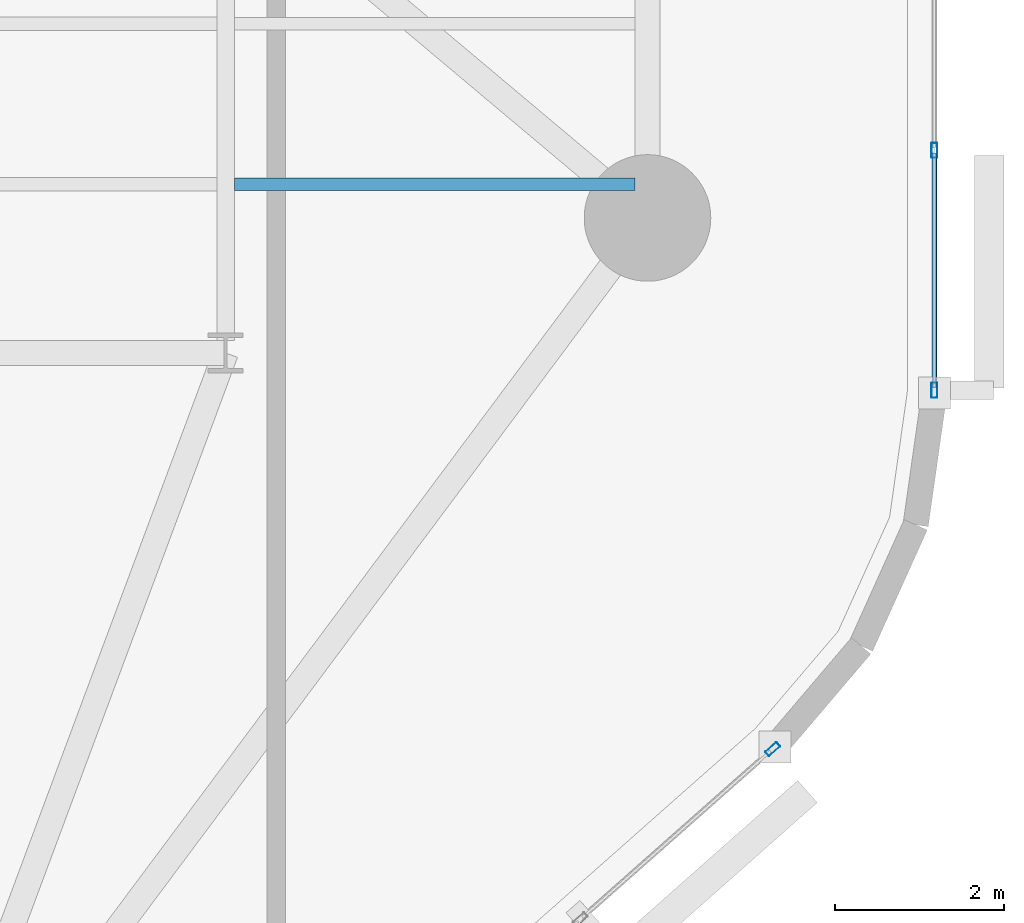
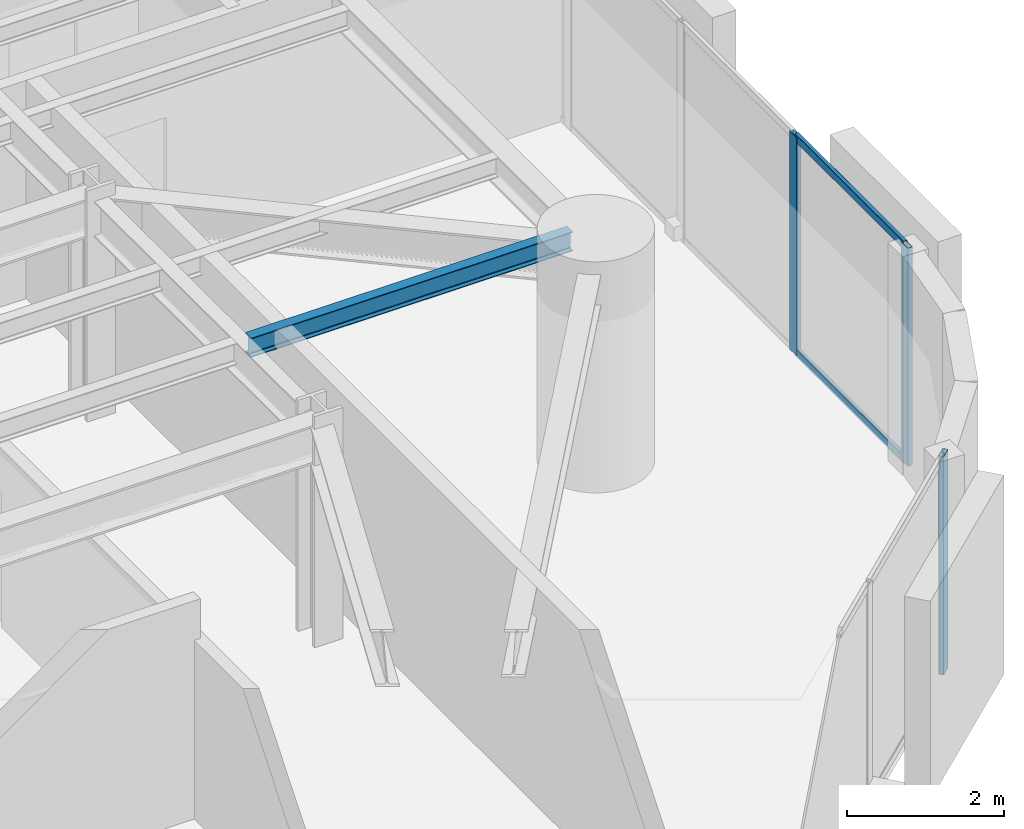
# One storey, part 4 of 16: 5 members, 1 beam, 2 elements without a shape of their own.
"""IFC4 building model written with IfcOpenShell, lengths in metres."""

from ifc_helpers import new_model, si_unit, direction, frame, origin, origin_2d, place, context, subcontext, project, spatial, hollow_rectangle, i_section, extrude, material, layer, layer_set, material_profile, profile_set, type_object, element, aggregate, save


model = new_model("IFC4")

# Units and contexts
model_context = context("Model", 3, precision=1e-05, world=origin(), true_north=direction((0.0, 1.0)))
body_context = subcontext(model_context, "Body", "Model", "MODEL_VIEW")
ifc_project = project(units=[si_unit("LENGTHUNIT", "METRE"), si_unit("AREAUNIT", "SQUARE_METRE"), si_unit("VOLUMEUNIT", "CUBIC_METRE"), si_unit("PLANEANGLEUNIT", "RADIAN"), si_unit("MASSUNIT", "GRAM", prefix="KILO")], contexts=[model_context])

# Site, building, storey
site_placement = place(None, origin())
site = spatial("IfcSite", under=ifc_project, at=site_placement, CompositionType="ELEMENT")
building_placement = place(site_placement, origin())
building = spatial("IfcBuilding", under=site, at=building_placement, Name="An Khanh Terracotta Commons", CompositionType="ELEMENT")
storey_placement = place(building_placement, frame((0.0, 0.0, 28.800048828125)))
storey = spatial("IfcBuildingStorey", under=building, at=storey_placement, Name="L07", CompositionType="ELEMENT", Elevation=28.800048828125)

# Beam
ifc_material_1 = material(Name="Steel S355J2", Category="steel")
ifc_material_profile_1 = material_profile(ifc_material_1, i_section(OverallWidth=0.14990234375, OverallDepth=0.300048828125, WebThickness=0.007080078125, FlangeThickness=0.0107421875, FilletRadius=0.014892578125, at=origin_2d()), Name="IPE300")
ifc_profile_set_1 = profile_set([ifc_material_profile_1], Name="Steel S355J2")
beam_type = type_object("IfcBeamType", Name="BM-IPE300", PredefinedType="JOIST", material=ifc_profile_set_1)
beam_placement = place(storey_placement, frame((43.304931640625, 16.39990234375, 3.25), z_axis=(1.0, 0.0, 0.0), x_axis=(0.0, 1.0, 0.0)))
element("IfcBeam", 1, at=beam_placement, inside=storey, type_object=beam_type, Name="L07 Riverfront Composite Joist 1", PredefinedType="JOIST", context=body_context, shape_type="SweptSolid", body=[
    extrude(i_section(OverallWidth=0.14990234375, OverallDepth=0.300048828125, WebThickness=0.007080078125, FlangeThickness=0.0107421875, FilletRadius=0.014892578125, at=origin_2d()), origin(), (0.0, 0.0, 1.0), 4.7451171875),
])

# Curtain wall, member
ifc_material_2 = material(Name="Anodised Aluminium 6063-T6", Category="aluminium")
ifc_layer = layer(ifc_material_2, 0.199951171875, Name="Anodised Aluminium 6063-T6")
ifc_layer_set = layer_set([ifc_layer], Name="Anodised Aluminium 6063-T6")
curtain_wall_type = type_object("IfcCurtainWallType", Name="CW-SYS-02", PredefinedType="USERDEFINED", material=ifc_layer_set)
curtain_wall_1_placement = place(storey_placement, origin())
curtain_wall_1 = element("IfcCurtainWall", 2, at=curtain_wall_1_placement, inside=storey, type_object=curtain_wall_type, Name="L07 CW-02 Unitised Curtain Wall CW-L07-08", ObjectType="UNITISED CURTAIN WALL", PredefinedType="USERDEFINED")
ifc_material_profile_2 = material_profile(ifc_material_2, hollow_rectangle(XDim=0.070068359375, YDim=0.179931640625, WallThickness=0.00390625, InnerFilletRadius=0.00390625, OuterFilletRadius=0.008056640625, at=origin_2d()), Name="RHS180x70x4")
ifc_profile_set_2 = profile_set([ifc_material_profile_2], Name="Anodised Aluminium 6063-T6")
member_type_1 = type_object("IfcMemberType", Name="CWM-RHS180x70x4", PredefinedType="MULLION", material=ifc_profile_set_2)
member_1_placement = place(storey_placement, frame((49.683837890625, 9.704833984375, 0.0), z_axis=(0.0, 0.0, 1.0), x_axis=(-0.662548195415, 0.749019284633, 0.0)))
member_1 = element("IfcMember", 3, at=member_1_placement, type_object=member_type_1, Name="CW-02 mullion 4", PredefinedType="MULLION", context=body_context, shape_type="SweptSolid", body=[
    extrude(hollow_rectangle(XDim=0.070068359375, YDim=0.179931640625, WallThickness=0.00390625, InnerFilletRadius=0.00390625, OuterFilletRadius=0.008056640625, at=origin_2d()), origin(), (0.0, 0.0, 1.0), 3.39990234375),
])
aggregate(curtain_wall_1, [member_1])

# Curtain wall, members
curtain_wall_2_placement = place(storey_placement, origin())
curtain_wall_2 = element("IfcCurtainWall", 4, at=curtain_wall_2_placement, inside=storey, type_object=curtain_wall_type, Name="L07 CW-02 Unitised Curtain Wall CW-L07-12", ObjectType="UNITISED CURTAIN WALL", PredefinedType="USERDEFINED")
member_2_placement = place(storey_placement, frame((51.60009765625, 13.9580078125, 0.0), z_axis=(0.0, 0.0, 1.0), x_axis=(-1.0, 0.0, 0.0)))
member_2 = element("IfcMember", 5, at=member_2_placement, type_object=member_type_1, Name="CW-02 mullion 1", PredefinedType="MULLION", context=body_context, shape_type="SweptSolid", body=[
    extrude(hollow_rectangle(XDim=0.070068359375, YDim=0.179931640625, WallThickness=0.00390625, InnerFilletRadius=0.00390625, OuterFilletRadius=0.008056640625, at=origin_2d()), origin(), (0.0, 0.0, 1.0), 3.39990234375),
])
member_3_placement = place(storey_placement, frame((51.60009765625, 16.80224609375, 0.0), z_axis=(0.0, 0.0, 1.0), x_axis=(-1.0, 0.0, 0.0)))
member_3 = element("IfcMember", 6, at=member_3_placement, type_object=member_type_1, Name="CW-02 mullion 2", PredefinedType="MULLION", context=body_context, shape_type="SweptSolid", body=[
    extrude(hollow_rectangle(XDim=0.070068359375, YDim=0.179931640625, WallThickness=0.00390625, InnerFilletRadius=0.00390625, OuterFilletRadius=0.008056640625, at=origin_2d()), origin(), (0.0, 0.0, 1.0), 3.39990234375),
])
ifc_material_profile_3 = material_profile(ifc_material_2, hollow_rectangle(XDim=0.06005859375, YDim=0.1201171875, WallThickness=0.003662109375, InnerFilletRadius=0.003662109375, OuterFilletRadius=0.007080078125, at=origin_2d()), Name="RHS120x60x3.6")
ifc_profile_set_3 = profile_set([ifc_material_profile_3], Name="Anodised Aluminium 6063-T6")
member_type_2 = type_object("IfcMemberType", Name="CWT-RHS120x60x3.6", PredefinedType="USERDEFINED", material=ifc_profile_set_3)
member_4_placement = place(storey_placement, frame((51.60009765625, 13.992919921875, 0.030029296875), z_axis=(0.0, 1.0, 0.0), x_axis=(-1.0, 0.0, 0.0)))
member_4 = element("IfcMember", 7, at=member_4_placement, type_object=member_type_2, Name="CW-02 transom 1.1", ObjectType="TRANSOM", PredefinedType="USERDEFINED", context=body_context, shape_type="SweptSolid", body=[
    extrude(hollow_rectangle(XDim=0.06005859375, YDim=0.1201171875, WallThickness=0.003662109375, InnerFilletRadius=0.003662109375, OuterFilletRadius=0.007080078125, at=origin_2d()), origin(), (0.0, 0.0, 1.0), 2.774169921875),
])
member_5_placement = place(storey_placement, frame((51.60009765625, 13.992919921875, 3.369873046875), z_axis=(0.0, 1.0, 0.0), x_axis=(-1.0, 0.0, 0.0)))
member_5 = element("IfcMember", 8, at=member_5_placement, type_object=member_type_2, Name="CW-02 transom 1.2", ObjectType="TRANSOM", PredefinedType="USERDEFINED", context=body_context, shape_type="SweptSolid", body=[
    extrude(hollow_rectangle(XDim=0.06005859375, YDim=0.1201171875, WallThickness=0.003662109375, InnerFilletRadius=0.003662109375, OuterFilletRadius=0.007080078125, at=origin_2d()), origin(), (0.0, 0.0, 1.0), 2.774169921875),
])
aggregate(curtain_wall_2, [member_2, member_3, member_4, member_5])

save(model, "model.ifc")
